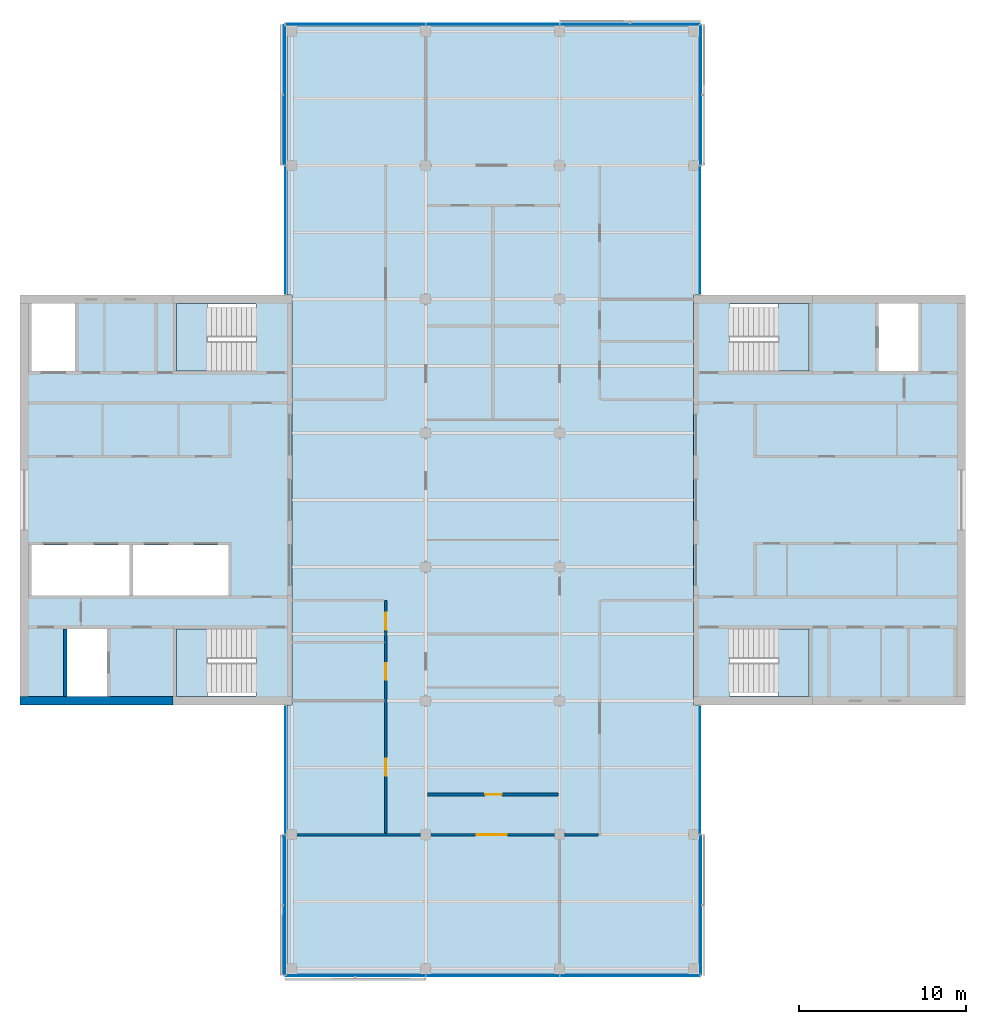
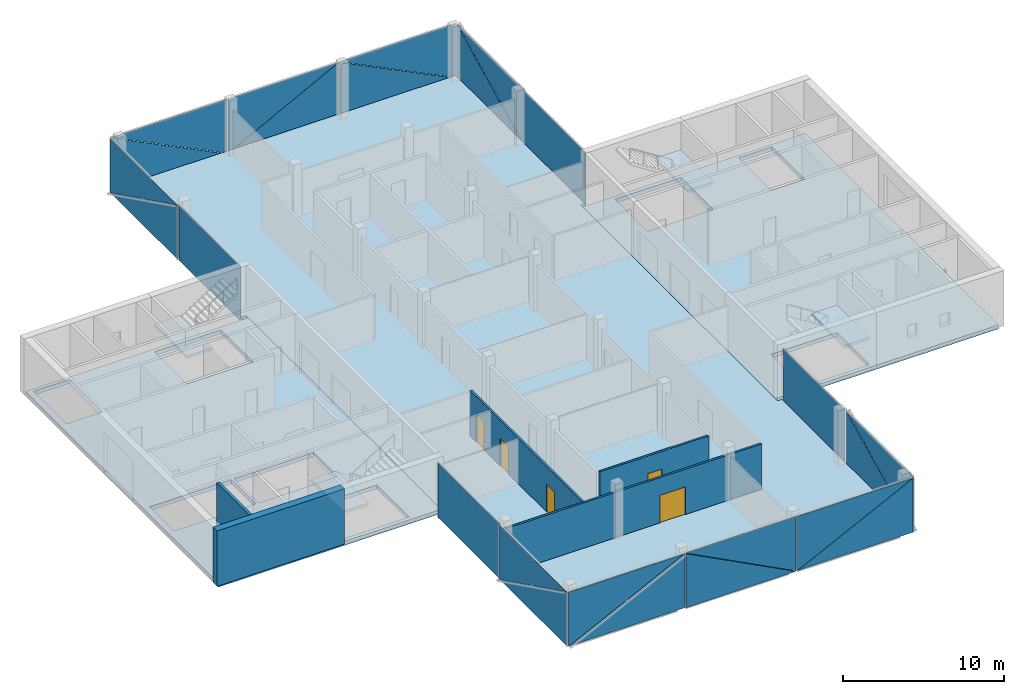
# One storey, part 8 of 16: 24 plates, 7 slabs, 5 doors, 5 walls, 5 openings, 14 elements without a shape of their own.
"""IFC4 building model written with IfcOpenShell, lengths in metres."""

from ifc_helpers import new_model, si_unit, direction, frame, frame_2d, origin, place, context, subcontext, project, spatial, polyline, rectangle, outline, extrude, material, layer, layer_set, constituent, constituent_set, type_object, element, fill, aggregate, save


model = new_model("IFC4")

# Units and contexts
model_context = context("Model", 3, precision=1e-05, world=origin(), true_north=direction((0.0, 1.0)))
body_context = subcontext(model_context, "Body", "Model", "MODEL_VIEW")
ifc_project = project(units=[si_unit("LENGTHUNIT", "METRE"), si_unit("AREAUNIT", "SQUARE_METRE"), si_unit("VOLUMEUNIT", "CUBIC_METRE"), si_unit("PLANEANGLEUNIT", "RADIAN"), si_unit("MASSUNIT", "GRAM", prefix="KILO")], contexts=[model_context])

# Site, building, storey
site_placement = place(None, origin())
site = spatial("IfcSite", under=ifc_project, at=site_placement, CompositionType="ELEMENT")
building_placement = place(site_placement, origin())
building = spatial("IfcBuilding", under=site, at=building_placement, Name="Crosswind Convention Tower", CompositionType="ELEMENT")
storey_placement = place(building_placement, frame((0.0, 0.0, 295.5)))
storey = spatial("IfcBuildingStorey", under=building, at=storey_placement, Name="L64", CompositionType="ELEMENT", Elevation=295.5)

# Slabs
ifc_material_1 = material(Name="Concrete C40/50", Category="concrete")
ifc_layer_1 = layer(ifc_material_1, 0.300048828125)
ifc_layer_set_1 = layer_set([ifc_layer_1], Name="Concrete C40/50")
slab_type_1 = type_object("IfcSlabType", Name="Composite floor slab 300", PredefinedType="FLOOR", material=ifc_layer_set_1)
slab_1_placement = place(storey_placement, frame((0.0, 0.0, -0.300048828125)))
element("IfcSlab", 1, at=slab_1_placement, inside=storey, type_object=slab_type_1, Name="Floor slab L64", PredefinedType="FLOOR", context=body_context, shape_type="SweptSolid", body=[
    extrude(outline(polyline([(137.300048828125, 71.699951171875), (137.0, 71.699951171875), (113.0, 71.699951171875), (112.699951171875, 71.699951171875), (112.699951171875, 72.0), (112.699951171875, 87.75), (113.0, 87.75), (113.0, 112.25), (112.699951171875, 112.25), (112.699951171875, 128.0), (112.699951171875, 128.300048828125), (113.0, 128.300048828125), (137.0, 128.300048828125), (137.300048828125, 128.300048828125), (137.300048828125, 128.0), (137.300048828125, 112.25), (137.0, 112.25), (137.0, 87.75), (137.300048828125, 87.75), (137.300048828125, 72.0), (137.300048828125, 71.699951171875)])), origin(), (0.0, 0.0, 1.0), 0.300048828125),
])
ifc_layer_2 = layer(ifc_material_1, 0.300048828125)
ifc_layer_set_2 = layer_set([ifc_layer_2], Name="Concrete C40/50")
slab_type_2 = type_object("IfcSlabType", Name="Concrete core floor slab 300", PredefinedType="FLOOR", material=ifc_layer_set_2)
slab_2_placement = place(storey_placement, frame((0.0, 0.0, -0.300048828125)))
element("IfcSlab", 2, at=slab_2_placement, inside=storey, type_object=slab_type_2, Name="Core floor slab E L64", PredefinedType="FLOOR", context=body_context, shape_type="SweptSolid", body=[
    extrude(outline(polyline([(137.0, 88.0), (153.0, 88.0), (153.0, 112.0), (137.0, 112.0), (137.0, 88.0)]), holes=[polyline([(150.449951171875, 107.699951171875), (150.449951171875, 111.75), (148.050048828125, 111.75), (148.050048828125, 107.699951171875), (150.449951171875, 107.699951171875)]), polyline([(143.89990234375, 107.699951171875), (143.89990234375, 111.699951171875), (139.14990234375, 111.699951171875), (139.14990234375, 107.699951171875), (143.89990234375, 107.699951171875)]), polyline([(143.89990234375, 88.300048828125), (143.89990234375, 92.300048828125), (139.14990234375, 92.300048828125), (139.14990234375, 88.300048828125), (143.89990234375, 88.300048828125)])]), origin(), (0.0, 0.0, 1.0), 0.300048828125),
])
slab_3_placement = place(storey_placement, frame((0.0, 0.0, -0.300048828125)))
element("IfcSlab", 3, at=slab_3_placement, inside=storey, type_object=slab_type_2, Name="Core floor slab W L64", PredefinedType="FLOOR", context=body_context, shape_type="SweptSolid", body=[
    extrude(outline(polyline([(97.0, 88.0), (113.0, 88.0), (113.0, 112.0), (97.0, 112.0), (97.0, 88.0)]), holes=[polyline([(109.199951171875, 94.300048828125), (109.199951171875, 97.300048828125), (103.5, 97.300048828125), (103.5, 94.300048828125), (109.199951171875, 94.300048828125)]), polyline([(103.300048828125, 94.300048828125), (103.300048828125, 97.300048828125), (97.449951171875, 97.300048828125), (97.449951171875, 94.300048828125), (103.300048828125, 94.300048828125)]), polyline([(101.949951171875, 88.25), (101.949951171875, 92.300048828125), (99.550048828125, 92.300048828125), (99.550048828125, 88.25), (101.949951171875, 88.25)]), polyline([(100.050048828125, 107.699951171875), (100.050048828125, 111.75), (97.449951171875, 111.75), (97.449951171875, 107.699951171875), (100.050048828125, 107.699951171875)]), polyline([(110.85009765625, 88.300048828125), (110.85009765625, 92.300048828125), (106.10009765625, 92.300048828125), (106.10009765625, 88.300048828125), (110.85009765625, 88.300048828125)]), polyline([(110.85009765625, 107.699951171875), (110.85009765625, 111.699951171875), (106.10009765625, 111.699951171875), (106.10009765625, 107.699951171875), (110.85009765625, 107.699951171875)])]), origin(), (0.0, 0.0, 1.0), 0.300048828125),
])

# Stair, slab
stair_type = type_object("IfcStairType", Name="Exit stair 1800 wide, 2 flights of 11 risers", PredefinedType="HALF_TURN_STAIR", material=ifc_material_1)
stair_1_placement = place(storey_placement, origin())
stair_1 = element("IfcStair", 4, at=stair_1_placement, inside=storey, type_object=stair_type, Name="Exit stair ST1 L64", ObjectType="ST5", PredefinedType="HALF_TURN_STAIR")
ifc_layer_3 = layer(ifc_material_1, 0.199951171875)
ifc_layer_set_3 = layer_set([ifc_layer_3], Name="Concrete C40/50")
slab_type_3 = type_object("IfcSlabType", Name="Stair landing 200", PredefinedType="LANDING", material=ifc_layer_set_3)
slab_4_placement = place(storey_placement, frame((0.0, 0.0, 1.89990234375)))
slab_4 = element("IfcSlab", 5, at=slab_4_placement, type_object=slab_type_3, Name="ST1 landing 1", PredefinedType="LANDING", context=body_context, shape_type="SweptSolid", body=[
    extrude(outline(polyline([(143.89990234375, 107.699951171875), (143.89990234375, 111.75), (142.050048828125, 111.75), (142.050048828125, 107.699951171875), (143.89990234375, 107.699951171875)])), origin(), (0.0, 0.0, 1.0), 0.2001953125),
])
aggregate(stair_1, [slab_4])

stair_2_placement = place(storey_placement, origin())
stair_2 = element("IfcStair", 6, at=stair_2_placement, inside=storey, type_object=stair_type, Name="Exit stair ST2 L64", ObjectType="ST5", PredefinedType="HALF_TURN_STAIR")
slab_5_placement = place(storey_placement, frame((0.0, 0.0, 1.89990234375)))
slab_5 = element("IfcSlab", 7, at=slab_5_placement, type_object=slab_type_3, Name="ST2 landing 1", PredefinedType="LANDING", context=body_context, shape_type="SweptSolid", body=[
    extrude(outline(polyline([(143.89990234375, 88.25), (143.89990234375, 92.300048828125), (142.050048828125, 92.300048828125), (142.050048828125, 88.25), (143.89990234375, 88.25)])), origin(), (0.0, 0.0, 1.0), 0.2001953125),
])
aggregate(stair_2, [slab_5])

stair_3_placement = place(storey_placement, origin())
stair_3 = element("IfcStair", 8, at=stair_3_placement, inside=storey, type_object=stair_type, Name="Exit stair ST3 L64", ObjectType="ST5", PredefinedType="HALF_TURN_STAIR")
slab_6_placement = place(storey_placement, frame((0.0, 0.0, 1.89990234375)))
slab_6 = element("IfcSlab", 9, at=slab_6_placement, type_object=slab_type_3, Name="ST3 landing 1", PredefinedType="LANDING", context=body_context, shape_type="SweptSolid", body=[
    extrude(outline(polyline([(107.949951171875, 88.25), (107.949951171875, 92.300048828125), (106.10009765625, 92.300048828125), (106.10009765625, 88.25), (107.949951171875, 88.25)])), origin(), (0.0, 0.0, 1.0), 0.2001953125),
])
aggregate(stair_3, [slab_6])

stair_4_placement = place(storey_placement, origin())
stair_4 = element("IfcStair", 10, at=stair_4_placement, inside=storey, type_object=stair_type, Name="Exit stair ST4 L64", ObjectType="ST5", PredefinedType="HALF_TURN_STAIR")
slab_7_placement = place(storey_placement, frame((0.0, 0.0, 1.89990234375)))
slab_7 = element("IfcSlab", 11, at=slab_7_placement, type_object=slab_type_3, Name="ST4 landing 1", PredefinedType="LANDING", context=body_context, shape_type="SweptSolid", body=[
    extrude(outline(polyline([(107.949951171875, 107.699951171875), (107.949951171875, 111.75), (106.10009765625, 111.75), (106.10009765625, 107.699951171875), (107.949951171875, 107.699951171875)])), origin(), (0.0, 0.0, 1.0), 0.2001953125),
])
aggregate(stair_4, [slab_7])

# Curtain wall, plate
ifc_material_2 = material(Name="Aluminium unitised curtain wall", Category="aluminium")
curtain_wall_type_1 = type_object("IfcCurtainWallType", Name="CORE END SLOT WALL 160", PredefinedType="USERDEFINED", material=ifc_material_2)
curtain_wall_1_placement = place(storey_placement, origin())
curtain_wall_1 = element("IfcCurtainWall", 12, at=curtain_wall_1_placement, inside=storey, type_object=curtain_wall_type_1, Name="CW6 L64 N-E.1-1 slot", ObjectType="UNITISED", PredefinedType="USERDEFINED")
ifc_material_3 = material(Name="Laminated insulating glass unit", Category="glass")
ifc_layer_4 = layer(ifc_material_3, 0.02587890625)
ifc_layer_set_4 = layer_set([ifc_layer_4], Name="TRIANGULAR GLASS PANEL 26")
plate_type_1 = type_object("IfcPlateType", Name="TRIANGULAR GLASS PANEL 26", PredefinedType="CURTAIN_PANEL", material=ifc_layer_set_4)
plate_1_placement = place(storey_placement, frame((137.40673828125, 112.300048828125, -0.300048828125), z_axis=(0.999999937709, 0.0, 0.000352961917), x_axis=(0.0, 1.0, 0.0)))
plate_1 = element("IfcPlate", 13, at=plate_1_placement, type_object=plate_type_1, Name="CW6 panel 1.1", PredefinedType="CURTAIN_PANEL", context=body_context, shape_type="SweptSolid", body=[
    extrude(outline(polyline([(0.0, 0.0), (7.64990234375, 0.0), (7.64990234375, 4.150146742892037), (0.0, 4.150146742892037), (0.0, 0.0)])), origin(), (0.0, 0.0, -1.0), 0.02587890625),
])
aggregate(curtain_wall_1, [plate_1])

curtain_wall_2_placement = place(storey_placement, origin())
curtain_wall_2 = element("IfcCurtainWall", 14, at=curtain_wall_2_placement, inside=storey, type_object=curtain_wall_type_1, Name="CW6 L64 N-W.1-2 slot", ObjectType="UNITISED", PredefinedType="USERDEFINED")
plate_2_placement = place(storey_placement, frame((112.59326171875, 119.949951171875, -0.300048828125), z_axis=(-0.999999937709, 0.0, 0.000352961917), x_axis=(0.0, -1.0, 0.0)))
plate_2 = element("IfcPlate", 15, at=plate_2_placement, type_object=plate_type_1, Name="CW6 panel 1.1", PredefinedType="CURTAIN_PANEL", context=body_context, shape_type="SweptSolid", body=[
    extrude(outline(polyline([(0.0, 0.0), (7.64990234375, 0.0), (7.64990234375, 4.150146742892037), (0.0, 4.150146742892037), (0.0, 0.0)])), origin(), (0.0, 0.0, -1.0), 0.02587890625),
])
aggregate(curtain_wall_2, [plate_2])

curtain_wall_3_placement = place(storey_placement, origin())
curtain_wall_3 = element("IfcCurtainWall", 16, at=curtain_wall_3_placement, inside=storey, type_object=curtain_wall_type_1, Name="CW6 L64 S-W.1-1 slot", ObjectType="UNITISED", PredefinedType="USERDEFINED")
plate_3_placement = place(storey_placement, frame((112.59326171875, 87.699951171875, -0.300048828125), z_axis=(-0.999999937709, 0.0, 0.000352961917), x_axis=(0.0, -1.0, 0.0)))
plate_3 = element("IfcPlate", 17, at=plate_3_placement, type_object=plate_type_1, Name="CW6 panel 1.1", PredefinedType="CURTAIN_PANEL", context=body_context, shape_type="SweptSolid", body=[
    extrude(outline(polyline([(0.0, 0.0), (7.64990234375, 0.0), (7.64990234375, 4.150146742892037), (0.0, 4.150146742892037), (0.0, 0.0)])), origin(), (0.0, 0.0, -1.0), 0.02587890625),
])
aggregate(curtain_wall_3, [plate_3])

curtain_wall_4_placement = place(storey_placement, origin())
curtain_wall_4 = element("IfcCurtainWall", 18, at=curtain_wall_4_placement, inside=storey, type_object=curtain_wall_type_1, Name="CW6 L64 S-E.1-2 slot", ObjectType="UNITISED", PredefinedType="USERDEFINED")
plate_4_placement = place(storey_placement, frame((137.40673828125, 80.050048828125, -0.300048828125), z_axis=(0.999999937709, 0.0, 0.000352961917), x_axis=(0.0, 1.0, 0.0)))
plate_4 = element("IfcPlate", 19, at=plate_4_placement, type_object=plate_type_1, Name="CW6 panel 1.1", PredefinedType="CURTAIN_PANEL", context=body_context, shape_type="SweptSolid", body=[
    extrude(outline(polyline([(0.0, 0.0), (7.64990234375, 0.0), (7.64990234375, 4.150146742892037), (0.0, 4.150146742892037), (0.0, 0.0)])), origin(), (0.0, 0.0, -1.0), 0.02587890625),
])
aggregate(curtain_wall_4, [plate_4])

# Curtain wall, plates
curtain_wall_type_2 = type_object("IfcCurtainWallType", Name="OFFICE UNITISED WALL 220", PredefinedType="USERDEFINED", material=ifc_material_2)
curtain_wall_5_placement = place(storey_placement, origin())
curtain_wall_5 = element("IfcCurtainWall", 20, at=curtain_wall_5_placement, inside=storey, type_object=curtain_wall_type_2, Name="CW3 L64 N-E 1", ObjectType="UNITISED", PredefinedType="USERDEFINED")
ifc_layer_5 = layer(ifc_material_3, 0.031982421875)
ifc_layer_set_5 = layer_set([ifc_layer_5], Name="TRIANGULAR GLASS PANEL 32")
plate_type_2 = type_object("IfcPlateType", Name="TRIANGULAR GLASS PANEL 32", PredefinedType="CURTAIN_PANEL", material=ifc_layer_set_5)
plate_5_placement = place(storey_placement, frame((137.44287109375, 128.375, -0.300048828125), z_axis=(0.999999913924, 0.0, 0.000414913129), x_axis=(-0.000414913129, 0.0, 0.999999913924)))
plate_5 = element("IfcPlate", 21, at=plate_5_placement, type_object=plate_type_2, Name="CW3 panel 1.1", PredefinedType="CURTAIN_PANEL", context=body_context, shape_type="SweptSolid", body=[
    extrude(outline(polyline([(0.0, 0.0), (4.118896838915043, 0.0), (0.0, 8.317382812500002), (0.0, 0.0)])), origin(), (0.0, 0.0, -1.0), 0.031982421875),
])
plate_6_placement = place(storey_placement, frame((137.47509765625, 120.034912109375, 3.830078125), z_axis=(0.999999913924, 0.0, 0.000414913129), x_axis=(0.000414913129, 0.0, -0.999999913924)))
plate_6 = element("IfcPlate", 22, at=plate_6_placement, type_object=plate_type_2, Name="CW3 panel 1.2", PredefinedType="CURTAIN_PANEL", context=body_context, shape_type="SweptSolid", body=[
    extrude(outline(polyline([(0.0, 0.0), (4.118896838915043, 0.0), (0.0, 8.317626953124998), (0.0, 0.0)])), origin(), (0.0, 0.0, -1.0), 0.031982421875),
])
aggregate(curtain_wall_5, [plate_5, plate_6])

curtain_wall_6_placement = place(storey_placement, origin())
curtain_wall_6 = element("IfcCurtainWall", 23, at=curtain_wall_6_placement, inside=storey, type_object=curtain_wall_type_2, Name="CW3 L64 N-TIP 1", ObjectType="UNITISED", PredefinedType="USERDEFINED")
plate_7_placement = place(storey_placement, frame((129.034912109375, 128.44287109375, -0.300048828125), z_axis=(0.0, 0.999999913924, 0.000414913129), x_axis=(0.0, -0.000414913129, 0.999999913924)))
plate_7 = element("IfcPlate", 24, at=plate_7_placement, type_object=plate_type_2, Name="CW3 panel 1.1", PredefinedType="CURTAIN_PANEL", context=body_context, shape_type="SweptSolid", body=[
    extrude(outline(polyline([(0.0, 0.0), (4.118896838915043, 0.0), (0.0, 8.317626953124998), (0.0, 0.0)])), origin(), (0.0, 0.0, -1.0), 0.031982421875),
])
plate_8_placement = place(storey_placement, frame((137.375, 128.47509765625, 3.830078125), z_axis=(0.0, 0.999999913924, 0.000414913129), x_axis=(0.0, 0.000414913129, -0.999999913924)))
plate_8 = element("IfcPlate", 25, at=plate_8_placement, type_object=plate_type_2, Name="CW3 panel 1.2", PredefinedType="CURTAIN_PANEL", context=body_context, shape_type="SweptSolid", body=[
    extrude(outline(polyline([(0.0, 0.0), (4.118896838915043, 0.0), (0.0, 8.317382812500002), (0.0, 0.0)])), origin(), (0.0, 0.0, -1.0), 0.031982421875),
])
plate_9_placement = place(storey_placement, frame((121.034912109375, 128.441162109375, 3.830078125), z_axis=(0.0, 0.999999913924, 0.000414913129), x_axis=(1.0, 0.0, 0.0)))
plate_9 = element("IfcPlate", 26, at=plate_9_placement, type_object=plate_type_2, Name="CW3 panel 2.1", PredefinedType="CURTAIN_PANEL", context=body_context, shape_type="SweptSolid", body=[
    extrude(outline(polyline([(0.0, 0.0), (7.908447265625, 0.0), (0.0, 4.118896838915043), (0.0, 0.0)])), origin(), (0.0, 0.0, -1.0), 0.031982421875),
])
plate_10_placement = place(storey_placement, frame((128.965087890625, 128.476806640625, -0.300048828125), z_axis=(0.0, 0.999999913913, 0.000414937724), x_axis=(-1.0, 0.0, 0.0)))
plate_10 = element("IfcPlate", 27, at=plate_10_placement, type_object=plate_type_2, Name="CW3 panel 2.2", PredefinedType="CURTAIN_PANEL", context=body_context, shape_type="SweptSolid", body=[
    extrude(outline(polyline([(0.0, 0.0), (7.908447265625, 0.0), (0.0, 4.118652698311059), (0.0, 0.0)])), origin(), (0.0, 0.0, -1.0), 0.031982421875),
])
plate_11_placement = place(storey_placement, frame((112.625, 128.44287109375, -0.300048828125), z_axis=(0.0, 0.999999913924, 0.000414913129), x_axis=(0.0, -0.000414913129, 0.999999913924)))
plate_11 = element("IfcPlate", 28, at=plate_11_placement, type_object=plate_type_2, Name="CW3 panel 3.1", PredefinedType="CURTAIN_PANEL", context=body_context, shape_type="SweptSolid", body=[
    extrude(outline(polyline([(0.0, 0.0), (4.118896838915043, 0.0), (0.0, 8.317382812500002), (0.0, 0.0)])), origin(), (0.0, 0.0, -1.0), 0.031982421875),
])
plate_12_placement = place(storey_placement, frame((120.965087890625, 128.47509765625, 3.830078125), z_axis=(0.0, 0.999999913924, 0.000414913129), x_axis=(0.0, 0.000414913129, -0.999999913924)))
plate_12 = element("IfcPlate", 29, at=plate_12_placement, type_object=plate_type_2, Name="CW3 panel 3.2", PredefinedType="CURTAIN_PANEL", context=body_context, shape_type="SweptSolid", body=[
    extrude(outline(polyline([(0.0, 0.0), (4.118896838915043, 0.0), (0.0, 8.317626953124998), (0.0, 0.0)])), origin(), (0.0, 0.0, -1.0), 0.031982421875),
])
aggregate(curtain_wall_6, [plate_7, plate_8, plate_9, plate_10, plate_11, plate_12])

curtain_wall_7_placement = place(storey_placement, origin())
curtain_wall_7 = element("IfcCurtainWall", 30, at=curtain_wall_7_placement, inside=storey, type_object=curtain_wall_type_2, Name="CW3 L64 N-W 1", ObjectType="UNITISED", PredefinedType="USERDEFINED")
plate_13_placement = place(storey_placement, frame((112.55712890625, 120.034912109375, -0.300048828125), z_axis=(-0.999999913924, 0.0, 0.000414913129), x_axis=(0.000414913129, 0.0, 0.999999913924)))
plate_13 = element("IfcPlate", 31, at=plate_13_placement, type_object=plate_type_2, Name="CW3 panel 1.1", PredefinedType="CURTAIN_PANEL", context=body_context, shape_type="SweptSolid", body=[
    extrude(outline(polyline([(0.0, 0.0), (4.118896838915043, 0.0), (0.0, 8.317626953124998), (0.0, 0.0)])), origin(), (0.0, 0.0, -1.0), 0.031982421875),
])
plate_14_placement = place(storey_placement, frame((112.52490234375, 128.375, 3.830078125), z_axis=(-0.999999913924, 0.0, 0.000414913129), x_axis=(-0.000414913129, 0.0, -0.999999913924)))
plate_14 = element("IfcPlate", 32, at=plate_14_placement, type_object=plate_type_2, Name="CW3 panel 1.2", PredefinedType="CURTAIN_PANEL", context=body_context, shape_type="SweptSolid", body=[
    extrude(outline(polyline([(0.0, 0.0), (4.118896838915043, 0.0), (0.0, 8.317382812500002), (0.0, 0.0)])), origin(), (0.0, 0.0, -1.0), 0.031982421875),
])
aggregate(curtain_wall_7, [plate_13, plate_14])

curtain_wall_8_placement = place(storey_placement, origin())
curtain_wall_8 = element("IfcCurtainWall", 33, at=curtain_wall_8_placement, inside=storey, type_object=curtain_wall_type_2, Name="CW3 L64 S-W 1", ObjectType="UNITISED", PredefinedType="USERDEFINED")
plate_15_placement = place(storey_placement, frame((112.55712890625, 71.625, -0.300048828125), z_axis=(-0.999999913924, 0.0, 0.000414913129), x_axis=(0.000414913129, 0.0, 0.999999913924)))
plate_15 = element("IfcPlate", 34, at=plate_15_placement, type_object=plate_type_2, Name="CW3 panel 1.1", PredefinedType="CURTAIN_PANEL", context=body_context, shape_type="SweptSolid", body=[
    extrude(outline(polyline([(0.0, 0.0), (4.118896838915043, 0.0), (0.0, 8.317382812500002), (0.0, 0.0)])), origin(), (0.0, 0.0, -1.0), 0.031982421875),
])
plate_16_placement = place(storey_placement, frame((112.52490234375, 79.965087890625, 3.830078125), z_axis=(-0.999999913924, 0.0, 0.000414913129), x_axis=(-0.000414913129, 0.0, -0.999999913924)))
plate_16 = element("IfcPlate", 35, at=plate_16_placement, type_object=plate_type_2, Name="CW3 panel 1.2", PredefinedType="CURTAIN_PANEL", context=body_context, shape_type="SweptSolid", body=[
    extrude(outline(polyline([(0.0, 0.0), (4.118896838915043, 0.0), (0.0, 8.317626953124998), (0.0, 0.0)])), origin(), (0.0, 0.0, -1.0), 0.031982421875),
])
aggregate(curtain_wall_8, [plate_15, plate_16])

curtain_wall_9_placement = place(storey_placement, origin())
curtain_wall_9 = element("IfcCurtainWall", 36, at=curtain_wall_9_placement, inside=storey, type_object=curtain_wall_type_2, Name="CW3 L64 S-TIP 1", ObjectType="UNITISED", PredefinedType="USERDEFINED")
plate_17_placement = place(storey_placement, frame((120.965087890625, 71.55712890625, -0.300048828125), z_axis=(0.0, -0.999999913924, 0.000414913129), x_axis=(0.0, 0.000414913129, 0.999999913924)))
plate_17 = element("IfcPlate", 37, at=plate_17_placement, type_object=plate_type_2, Name="CW3 panel 1.1", PredefinedType="CURTAIN_PANEL", context=body_context, shape_type="SweptSolid", body=[
    extrude(outline(polyline([(0.0, 0.0), (4.118896838915043, 0.0), (0.0, 8.317626953124998), (0.0, 0.0)])), origin(), (0.0, 0.0, -1.0), 0.031982421875),
])
plate_18_placement = place(storey_placement, frame((112.625, 71.52490234375, 3.830078125), z_axis=(0.0, -0.999999913924, 0.000414913129), x_axis=(0.0, -0.000414913129, -0.999999913924)))
plate_18 = element("IfcPlate", 38, at=plate_18_placement, type_object=plate_type_2, Name="CW3 panel 1.2", PredefinedType="CURTAIN_PANEL", context=body_context, shape_type="SweptSolid", body=[
    extrude(outline(polyline([(0.0, 0.0), (4.118896838915043, 0.0), (0.0, 8.317382812500002), (0.0, 0.0)])), origin(), (0.0, 0.0, -1.0), 0.031982421875),
])
plate_19_placement = place(storey_placement, frame((128.965087890625, 71.558837890625, 3.830078125), z_axis=(0.0, -0.999999913924, 0.000414913129), x_axis=(-1.0, 0.0, 0.0)))
plate_19 = element("IfcPlate", 39, at=plate_19_placement, type_object=plate_type_2, Name="CW3 panel 2.1", PredefinedType="CURTAIN_PANEL", context=body_context, shape_type="SweptSolid", body=[
    extrude(outline(polyline([(0.0, 0.0), (7.908447265625, 0.0), (0.0, 4.118896838915043), (0.0, 0.0)])), origin(), (0.0, 0.0, -1.0), 0.031982421875),
])
plate_20_placement = place(storey_placement, frame((121.034912109375, 71.523193359375, -0.300048828125), z_axis=(0.0, -0.999999913913, 0.000414937724), x_axis=(1.0, 0.0, 0.0)))
plate_20 = element("IfcPlate", 40, at=plate_20_placement, type_object=plate_type_2, Name="CW3 panel 2.2", PredefinedType="CURTAIN_PANEL", context=body_context, shape_type="SweptSolid", body=[
    extrude(outline(polyline([(0.0, 0.0), (7.908447265625, 0.0), (0.0, 4.118652698311059), (0.0, 0.0)])), origin(), (0.0, 0.0, -1.0), 0.031982421875),
])
plate_21_placement = place(storey_placement, frame((137.375, 71.55712890625, -0.300048828125), z_axis=(0.0, -0.999999913924, 0.000414913129), x_axis=(0.0, 0.000414913129, 0.999999913924)))
plate_21 = element("IfcPlate", 41, at=plate_21_placement, type_object=plate_type_2, Name="CW3 panel 3.1", PredefinedType="CURTAIN_PANEL", context=body_context, shape_type="SweptSolid", body=[
    extrude(outline(polyline([(0.0, 0.0), (4.118896838915043, 0.0), (0.0, 8.317382812500002), (0.0, 0.0)])), origin(), (0.0, 0.0, -1.0), 0.031982421875),
])
plate_22_placement = place(storey_placement, frame((129.034912109375, 71.52490234375, 3.830078125), z_axis=(0.0, -0.999999913924, 0.000414913129), x_axis=(0.0, -0.000414913129, -0.999999913924)))
plate_22 = element("IfcPlate", 42, at=plate_22_placement, type_object=plate_type_2, Name="CW3 panel 3.2", PredefinedType="CURTAIN_PANEL", context=body_context, shape_type="SweptSolid", body=[
    extrude(outline(polyline([(0.0, 0.0), (4.118896838915043, 0.0), (0.0, 8.317626953124998), (0.0, 0.0)])), origin(), (0.0, 0.0, -1.0), 0.031982421875),
])
aggregate(curtain_wall_9, [plate_17, plate_18, plate_19, plate_20, plate_21, plate_22])

curtain_wall_10_placement = place(storey_placement, origin())
curtain_wall_10 = element("IfcCurtainWall", 43, at=curtain_wall_10_placement, inside=storey, type_object=curtain_wall_type_2, Name="CW3 L64 S-E 1", ObjectType="UNITISED", PredefinedType="USERDEFINED")
plate_23_placement = place(storey_placement, frame((137.44287109375, 79.965087890625, -0.300048828125), z_axis=(0.999999913924, 0.0, 0.000414913129), x_axis=(-0.000414913129, 0.0, 0.999999913924)))
plate_23 = element("IfcPlate", 44, at=plate_23_placement, type_object=plate_type_2, Name="CW3 panel 1.1", PredefinedType="CURTAIN_PANEL", context=body_context, shape_type="SweptSolid", body=[
    extrude(outline(polyline([(0.0, 0.0), (4.118896838915043, 0.0), (0.0, 8.317626953124998), (0.0, 0.0)])), origin(), (0.0, 0.0, -1.0), 0.031982421875),
])
plate_24_placement = place(storey_placement, frame((137.47509765625, 71.625, 3.830078125), z_axis=(0.999999913924, 0.0, 0.000414913129), x_axis=(0.000414913129, 0.0, -0.999999913924)))
plate_24 = element("IfcPlate", 45, at=plate_24_placement, type_object=plate_type_2, Name="CW3 panel 1.2", PredefinedType="CURTAIN_PANEL", context=body_context, shape_type="SweptSolid", body=[
    extrude(outline(polyline([(0.0, 0.0), (4.118896838915043, 0.0), (0.0, 8.317382812500002), (0.0, 0.0)])), origin(), (0.0, 0.0, -1.0), 0.031982421875),
])
aggregate(curtain_wall_10, [plate_23, plate_24])

# Wall
ifc_material_4 = material(Name="Concrete C50/60", Category="concrete")
ifc_layer_6 = layer(ifc_material_4, 0.199951171875)
ifc_layer_set_6 = layer_set([ifc_layer_6], Name="Concrete C50/60")
wall_type_1 = type_object("IfcWallType", Name="Concrete shaft and stair wall 200", PredefinedType="SHEAR", material=ifc_layer_set_6)
wall_1_placement = place(storey_placement, frame((99.449951171875, 92.300048828125, 0.0), z_axis=(0.0, 0.0, 1.0), x_axis=(0.0, -1.0, 0.0)))
element("IfcWall", 46, at=wall_1_placement, inside=storey, type_object=wall_type_1, Name="Wall PFSE W L64", PredefinedType="SHEAR", context=body_context, shape_type="SweptSolid", body=[
    extrude(rectangle(XDim=4.050048828125, YDim=0.199951171875, at=frame_2d((2.02490234375, 0.0))), origin(), (0.0, 0.0, 1.0), 4.199951171875),
])

# Wall, openings, doors
ifc_material_5 = material(Name="Fire-board partition with mineral wool", Category="gypsum")
ifc_layer_7 = layer(ifc_material_5, 0.14990234375)
ifc_layer_set_7 = layer_set([ifc_layer_7], Name="TENANCY WALL 150 TWO-HOUR BOARD")
wall_type_2 = type_object("IfcWallType", Name="TENANCY WALL 150 TWO-HOUR BOARD", PredefinedType="PARTITIONING", material=ifc_layer_set_7)
wall_2_placement = place(storey_placement, frame((118.60009765625, 80.074951171875, 0.0), z_axis=(0.0, 0.0, 1.0), x_axis=(0.0, 1.0, 0.0)))
wall_2 = element("IfcWall", 47, at=wall_2_placement, inside=storey, type_object=wall_type_2, Name="Tenancy wall WT41", PredefinedType="PARTITIONING", context=body_context, shape_type="SweptSolid", body=[
    extrude(rectangle(XDim=13.925048828125, YDim=0.14990234375, at=frame_2d((6.96240234375, 0.0))), origin(), (0.0, 0.0, 1.0), 3.44287109375),
])
opening_1_placement = place(wall_2_placement, frame((12.175048828125, 0.0, 0.0)))
opening_1 = element("IfcOpeningElement", 48, at=opening_1_placement, cuts=wall_2, Name="Opening L64-55", PredefinedType="OPENING", context=body_context, shape_type="SweptSolid", body=[
    extrude(rectangle(XDim=1.0, YDim=2.10009765625, at=frame_2d((0.5, 1.050048828125))), frame((0.0, 0.0849609375, 0.0), z_axis=(0.0, -1.0, 0.0), x_axis=(1.0, 0.0, 0.0)), (0.0, 0.0, 1.0), 0.169921875),
])
opening_2_placement = place(wall_2_placement, frame((9.175048828125, 0.0, 0.0)))
opening_2 = element("IfcOpeningElement", 49, at=opening_2_placement, cuts=wall_2, Name="Opening L64-56", PredefinedType="OPENING", context=body_context, shape_type="SweptSolid", body=[
    extrude(rectangle(XDim=1.0, YDim=2.10009765625, at=frame_2d((0.5, 1.050048828125))), frame((0.0, 0.0849609375, 0.0), z_axis=(0.0, -1.0, 0.0), x_axis=(1.0, 0.0, 0.0)), (0.0, 0.0, 1.0), 0.169921875),
])
opening_3_placement = place(wall_2_placement, frame((3.449951171875, 0.0, 0.0)))
opening_3 = element("IfcOpeningElement", 50, at=opening_3_placement, cuts=wall_2, Name="Opening L64-57", PredefinedType="OPENING", context=body_context, shape_type="SweptSolid", body=[
    extrude(rectangle(XDim=1.0, YDim=2.10009765625, at=frame_2d((0.5, 1.050048828125))), frame((0.0, 0.0849609375, 0.0), z_axis=(0.0, -1.0, 0.0), x_axis=(1.0, 0.0, 0.0)), (0.0, 0.0, 1.0), 0.169921875),
])
ifc_material_6 = material(Name="Timber fire door", Category="wood")
door_type_1 = type_object("IfcDoorType", Name="TENANCY ENTRANCE DOOR 1000X2100 FD30S", OperationType="NOTDEFINED", PredefinedType="DOOR", material=ifc_material_6)
door_1_placement = place(opening_1_placement, origin())
door_1 = element("IfcDoor", 51, at=door_1_placement, inside=storey, type_object=door_type_1, Name="Door L64-55", ObjectType="D41", OperationType="SINGLE_SWING_RIGHT", OverallHeight=2.10009765625, OverallWidth=1.0, PredefinedType="DOOR", context=body_context, shape_type="SweptSolid", body=[
    extrude(rectangle(XDim=1.0, YDim=2.10009765625, at=frame_2d((0.5, 1.050048828125))), frame((0.0, 0.02490234375, 0.0), z_axis=(0.0, -1.0, 0.0), x_axis=(1.0, 0.0, 0.0)), (0.0, 0.0, 1.0), 0.050048828125),
])
fill(opening_1, door_1)
door_2_placement = place(opening_2_placement, origin())
door_2 = element("IfcDoor", 52, at=door_2_placement, inside=storey, type_object=door_type_1, Name="Door L64-56", ObjectType="D41", OperationType="SINGLE_SWING_RIGHT", OverallHeight=2.10009765625, OverallWidth=1.0, PredefinedType="DOOR", context=body_context, shape_type="SweptSolid", body=[
    extrude(rectangle(XDim=1.0, YDim=2.10009765625, at=frame_2d((0.5, 1.050048828125))), frame((0.0, 0.02490234375, 0.0), z_axis=(0.0, -1.0, 0.0), x_axis=(1.0, 0.0, 0.0)), (0.0, 0.0, 1.0), 0.050048828125),
])
fill(opening_2, door_2)
door_3_placement = place(opening_3_placement, origin())
door_3 = element("IfcDoor", 53, at=door_3_placement, inside=storey, type_object=door_type_1, Name="Door L64-57", ObjectType="D41", OperationType="SINGLE_SWING_RIGHT", OverallHeight=2.10009765625, OverallWidth=1.0, PredefinedType="DOOR", context=body_context, shape_type="SweptSolid", body=[
    extrude(rectangle(XDim=1.0, YDim=2.10009765625, at=frame_2d((0.5, 1.050048828125))), frame((0.0, 0.02490234375, 0.0), z_axis=(0.0, -1.0, 0.0), x_axis=(1.0, 0.0, 0.0)), (0.0, 0.0, 1.0), 0.050048828125),
])
fill(opening_3, door_3)

# Wall, opening, door
wall_3_placement = place(storey_placement, frame((112.780029296875, 80.0, 0.0), z_axis=(0.0, 0.0, 1.0), x_axis=(1.0, 0.0, 0.0)))
wall_3 = element("IfcWall", 54, at=wall_3_placement, inside=storey, type_object=wall_type_2, Name="Tenancy wall WT41", PredefinedType="PARTITIONING", context=body_context, shape_type="SweptSolid", body=[
    extrude(rectangle(XDim=18.544921875, YDim=0.14990234375, at=frame_2d((9.2724609375, 0.0))), origin(), (0.0, 0.0, 1.0), 3.44287109375),
])
opening_4_placement = place(wall_3_placement, frame((11.27001953125, 0.0, 0.0)))
opening_4 = element("IfcOpeningElement", 55, at=opening_4_placement, cuts=wall_3, Name="Opening L64-59", PredefinedType="OPENING", context=body_context, shape_type="SweptSolid", body=[
    extrude(rectangle(XDim=1.800048828125, YDim=2.10009765625, at=frame_2d((0.89990234375, 1.050048828125))), frame((0.0, 0.0849609375, 0.0), z_axis=(0.0, -1.0, 0.0), x_axis=(1.0, 0.0, 0.0)), (0.0, 0.0, 1.0), 0.169921875),
])
door_type_2 = type_object("IfcDoorType", Name="TENANCY ENTRANCE DOUBLE DOOR 1800X2100 FD30S", OperationType="DOUBLE_DOOR_SINGLE_SWING", PredefinedType="DOOR", material=ifc_material_6)
door_4_placement = place(opening_4_placement, frame((1.800048828125, 0.0, 0.0), z_axis=(0.0, 0.0, 1.0), x_axis=(-1.0, 0.0, 0.0)))
door_4 = element("IfcDoor", 56, at=door_4_placement, inside=storey, type_object=door_type_2, Name="Door L64-59", ObjectType="D42", OperationType="DOUBLE_DOOR_SINGLE_SWING", OverallHeight=2.10009765625, OverallWidth=1.800048828125, PredefinedType="DOOR", context=body_context, shape_type="SweptSolid", body=[
    extrude(rectangle(XDim=1.800048828125, YDim=2.10009765625, at=frame_2d((0.89990234375, 1.050048828125))), frame((0.0, 0.02490234375, 0.0), z_axis=(0.0, -1.0, 0.0), x_axis=(1.0, 0.0, 0.0)), (0.0, 0.0, 1.0), 0.050048828125),
])
fill(opening_4, door_4)

wall_4_placement = place(storey_placement, frame((121.10009765625, 82.39990234375, 0.0), z_axis=(0.0, 0.0, 1.0), x_axis=(1.0, 0.0, 0.0)))
wall_4 = element("IfcWall", 57, at=wall_4_placement, inside=storey, type_object=wall_type_2, Name="Tenancy wall WT41", PredefinedType="PARTITIONING", context=body_context, shape_type="SweptSolid", body=[
    extrude(rectangle(XDim=7.824951171875, YDim=0.14990234375, at=frame_2d((3.91259765625, 0.0))), origin(), (0.0, 0.0, 1.0), 3.44287109375),
])
opening_5_placement = place(wall_4_placement, frame((3.449951171875, 0.0, 0.0)))
opening_5 = element("IfcOpeningElement", 58, at=opening_5_placement, cuts=wall_4, Name="Opening L64-60", PredefinedType="OPENING", context=body_context, shape_type="SweptSolid", body=[
    extrude(rectangle(XDim=1.0, YDim=2.10009765625, at=frame_2d((0.5, 1.050048828125))), frame((0.0, 0.0849609375, 0.0), z_axis=(0.0, -1.0, 0.0), x_axis=(1.0, 0.0, 0.0)), (0.0, 0.0, 1.0), 0.169921875),
])
door_5_placement = place(opening_5_placement, origin())
door_5 = element("IfcDoor", 59, at=door_5_placement, inside=storey, type_object=door_type_1, Name="Door L64-60", ObjectType="D41", OperationType="SINGLE_SWING_RIGHT", OverallHeight=2.10009765625, OverallWidth=1.0, PredefinedType="DOOR", context=body_context, shape_type="SweptSolid", body=[
    extrude(rectangle(XDim=1.0, YDim=2.10009765625, at=frame_2d((0.5, 1.050048828125))), frame((0.0, 0.02490234375, 0.0), z_axis=(0.0, -1.0, 0.0), x_axis=(1.0, 0.0, 0.0)), (0.0, 0.0, 1.0), 0.050048828125),
])
fill(opening_5, door_5)

# Wall
ifc_material_7 = material(Name="Concrete C60/75", Category="concrete")
ifc_constituent_1 = constituent(ifc_material_7, Name="Structure")
ifc_material_8 = material(Name="Terracotta rainscreen", Category="ceramic")
ifc_constituent_2 = constituent(ifc_material_8, Name="Facing")
ifc_constituent_set = constituent_set(constituents=[ifc_constituent_1, ifc_constituent_2], Name="Concrete C60/75, Terracotta rainscreen")
wall_type_3 = type_object("IfcWallType", Name="Terracotta rainscreen on concrete core wall 500", PredefinedType="SHEAR", material=ifc_constituent_set)
wall_5_placement = place(storey_placement, frame((105.89990234375, 88.0, 0.0), z_axis=(0.0, 0.0, 1.0), x_axis=(-1.0, 0.0, 0.0)))
element("IfcWall", 60, at=wall_5_placement, inside=storey, type_object=wall_type_3, Name="Wall N2 W L64", PredefinedType="SHEAR", context=body_context, shape_type="SweptSolid", body=[
    extrude(rectangle(XDim=9.14990234375, YDim=0.5, at=frame_2d((4.574951171875, 0.0))), origin(), (0.0, 0.0, 1.0), 4.199951171875),
])

save(model, "model.ifc")
